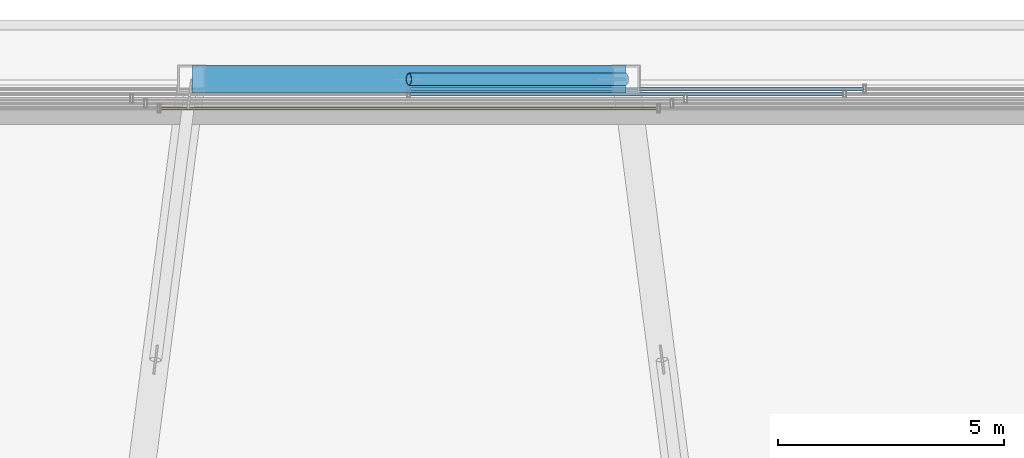
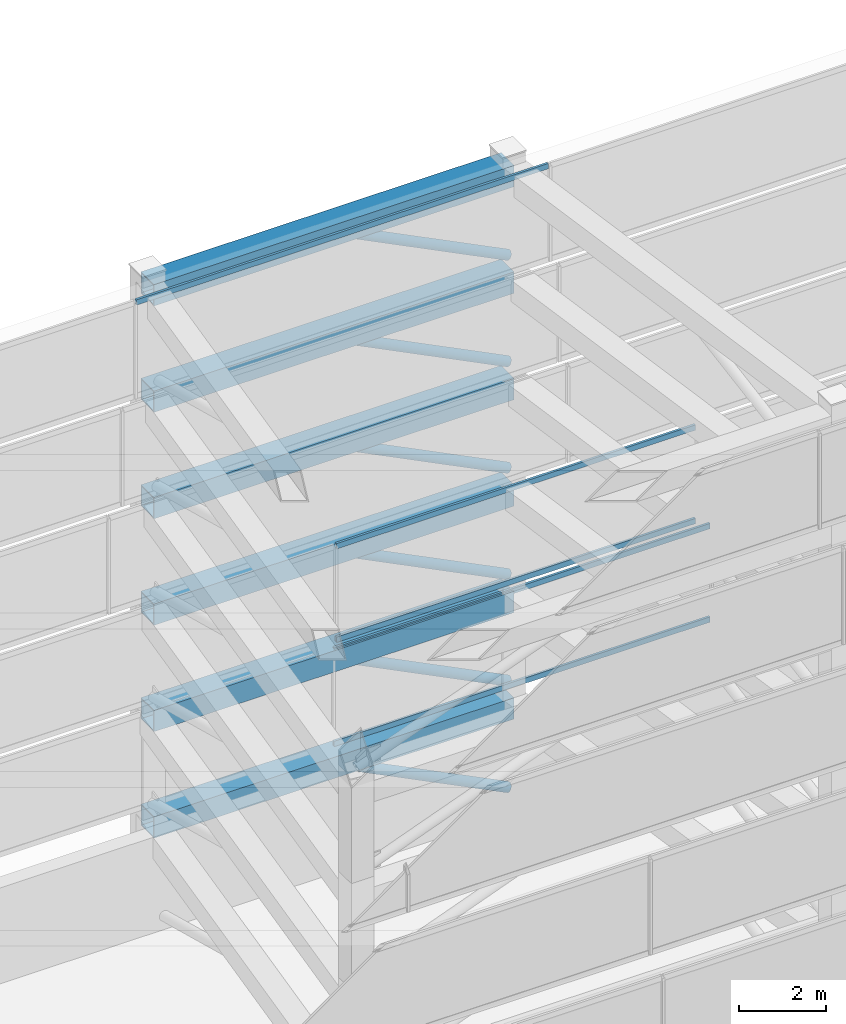
# One storey, part 17 of 29: 17 members, 3 elements without a shape of their own.
"""IFC4 building model written with IfcOpenShell, lengths in metres."""

from ifc_helpers import new_model, si_unit, direction, frame, origin, origin_2d, place, context, subcontext, project, spatial, hollow_rectangle, hollow_circle, extrude, material, material_profile, profile_set, type_object, element, aggregate, save


model = new_model("IFC4")

# Units and contexts
model_context = context("Model", 3, precision=1e-05, world=origin(), true_north=direction((0.0, 1.0)))
body_context = subcontext(model_context, "Body", "Model", "MODEL_VIEW")
ifc_project = project(units=[si_unit("LENGTHUNIT", "METRE"), si_unit("AREAUNIT", "SQUARE_METRE"), si_unit("VOLUMEUNIT", "CUBIC_METRE"), si_unit("PLANEANGLEUNIT", "RADIAN"), si_unit("MASSUNIT", "GRAM", prefix="KILO")], contexts=[model_context])

# Site, building, storey
site_placement = place(None, origin())
site = spatial("IfcSite", under=ifc_project, at=site_placement, CompositionType="ELEMENT")
building_placement = place(site_placement, origin())
building = spatial("IfcBuilding", under=site, at=building_placement, Name="Saevonmaru Cultural Tower", CompositionType="ELEMENT")
storey_placement = place(building_placement, frame((0.0, 0.0, 327.60009765625)))
storey = spatial("IfcBuildingStorey", under=building, at=storey_placement, Name="RF", CompositionType="ELEMENT", Elevation=327.60009765625)

# Members
ifc_material_1 = material(Name="Steel SM355", Category="steel")
ifc_material_profile_1 = material_profile(ifc_material_1, hollow_circle(Radius=0.1337890625, WallThickness=0.011962890625, at=origin_2d()), Name="CHS-267.4x12")
ifc_profile_set_1 = profile_set([ifc_material_profile_1], Name="Steel SM355")
member_type_1 = type_object("IfcMemberType", Name="CROWN-FRAME-BRACE", PredefinedType="BRACE", material=ifc_profile_set_1)
for number, where, z_axis, x_axis, name in (
    (1, (34.800048828125, 54.800048828125, 0.0), (-0.894436289399, 0.0, 0.44719539824), (0.0, -1.0, 0.0), "RF Stepped Ziggurat CROWN FRAME Brace T1-3"),
    (2, (34.800048828125, 54.800048828125, 3.0), (-0.894436289399, 0.0, 0.44719539824), (0.0, -1.0, 0.0), "RF Stepped Ziggurat CROWN FRAME Brace T2-3"),
    (3, (34.800048828125, 54.800048828125, 6.0), (-0.894436289399, 0.0, 0.44719539824), (0.0, -1.0, 0.0), "RF Stepped Ziggurat CROWN FRAME Brace T3-3"),
    (4, (34.800048828125, 54.800048828125, 9.0), (-0.894436289399, 0.0, 0.44719539824), (0.0, -1.0, 0.0), "RF Stepped Ziggurat CROWN FRAME Brace T4-3"),
    (5, (34.800048828125, 54.800048828125, 12.0), (-0.894436289399, 0.0, 0.44719539824), (0.0, -1.0, 0.0), "RF Stepped Ziggurat CROWN FRAME Brace T5-3"),
    (6, (34.800048828125, 54.800048828125, 15.0), (-0.894436289399, 0.0, 0.44719539824), (0.0, -1.0, 0.0), "RF Stepped Ziggurat CROWN FRAME Brace T6-3"),
):
    element("IfcMember", number, at=place(storey_placement, frame(where, z_axis=z_axis, x_axis=x_axis)), inside=storey, type_object=member_type_1, Name=name, PredefinedType="BRACE", context=body_context, shape_type="SweptSolid", body=[
        extrude(hollow_circle(Radius=0.1337890625, WallThickness=0.011962890625, at=origin_2d()), origin(), (0.0, 0.0, 1.0), 5.366455078125),
    ])
ifc_material_2 = material(Name="Steel SM420", Category="steel")
ifc_material_profile_2 = material_profile(ifc_material_2, hollow_rectangle(XDim=0.60009765625, YDim=0.60009765625, WallThickness=0.028076171875, at=origin_2d()), Name="BOX-600x600x28")
ifc_profile_set_2 = profile_set([ifc_material_profile_2], Name="Steel SM420")
member_type_2 = type_object("IfcMemberType", Name="CROWN-FRAME-CHORD", PredefinedType="CHORD", material=ifc_profile_set_2)
for number, where, z_axis, x_axis, name in (
    (7, (34.800048828125, 54.800048828125, 2.39990234375), (-1.0, 0.0, 0.0), (0.0, -1.0, 0.0), "RF Stepped Ziggurat CROWN FRAME Ring Beam T1-3"),
    (8, (34.800048828125, 54.800048828125, 5.39990234375), (-1.0, 0.0, 0.0), (0.0, -1.0, 0.0), "RF Stepped Ziggurat CROWN FRAME Ring Beam T2-3"),
    (9, (34.800048828125, 54.800048828125, 8.39990234375), (-1.0, 0.0, 0.0), (0.0, -1.0, 0.0), "RF Stepped Ziggurat CROWN FRAME Ring Beam T3-3"),
    (10, (34.800048828125, 54.800048828125, 11.39990234375), (-1.0, 0.0, 0.0), (0.0, -1.0, 0.0), "RF Stepped Ziggurat CROWN FRAME Ring Beam T4-3"),
    (11, (34.800048828125, 54.800048828125, 14.39990234375), (-1.0, 0.0, 0.0), (0.0, -1.0, 0.0), "RF Stepped Ziggurat CROWN FRAME Ring Beam T5-3"),
    (12, (34.800048828125, 54.800048828125, 17.39990234375), (-1.0, 0.0, 0.0), (0.0, -1.0, 0.0), "RF Stepped Ziggurat CROWN FRAME Ring Beam T6-3"),
):
    element("IfcMember", number, at=place(storey_placement, frame(where, z_axis=z_axis, x_axis=x_axis)), inside=storey, type_object=member_type_2, Name=name, PredefinedType="CHORD", context=body_context, shape_type="SweptSolid", body=[
        extrude(hollow_rectangle(XDim=0.60009765625, YDim=0.60009765625, WallThickness=0.028076171875, at=origin_2d()), origin(), (0.0, 0.0, 1.0), 9.60009765625),
    ])

# Curtain wall, members
ifc_material_3 = material(Name="Satin Bronze Anodised Aluminium", Category="aluminium")
curtain_wall_type = type_object("IfcCurtainWallType", Name="CW-TYP-B", PredefinedType="NOTDEFINED", material=ifc_material_3)
curtain_wall_1_placement = place(storey_placement, origin())
curtain_wall_1 = element("IfcCurtainWall", 13, at=curtain_wall_1_placement, inside=storey, type_object=curtain_wall_type, Name="RF Ziggurat Crown Tier 2 Bronze Louvre Screen 3", PredefinedType="NOTDEFINED")
ifc_material_profile_3 = material_profile(ifc_material_3, hollow_rectangle(XDim=0.06494140625, YDim=0.14990234375, WallThickness=0.00390625, at=origin_2d()), Name="ALU-TRAN-150x65x4")
ifc_profile_set_3 = profile_set([ifc_material_profile_3], Name="Satin Bronze Anodised Aluminium")
member_type_3 = type_object("IfcMemberType", Name="TR-CW-150x65", PredefinedType="USERDEFINED", material=ifc_profile_set_3)
member_1_placement = place(storey_placement, frame((40.051025390625, 54.583984375, 3.032470703125), z_axis=(-1.0, 0.0, 0.0), x_axis=(0.0, -1.0, 0.0)))
member_1 = element("IfcMember", 14, at=member_1_placement, type_object=member_type_3, Name="CW-CROWN-T2-3 transom 2.1", ObjectType="TRANSOM", PredefinedType="USERDEFINED", context=body_context, shape_type="SweptSolid", body=[
    extrude(hollow_rectangle(XDim=0.06494140625, YDim=0.14990234375, WallThickness=0.00390625, at=origin_2d()), origin(), (0.0, 0.0, 1.0), 10.0185546875),
])
member_2_placement = place(storey_placement, frame((40.051025390625, 54.583984375, 5.66748046875), z_axis=(-1.0, 0.0, 0.0), x_axis=(0.0, -1.0, 0.0)))
member_2 = element("IfcMember", 15, at=member_2_placement, type_object=member_type_3, Name="CW-CROWN-T2-3 transom 2.2", ObjectType="TRANSOM", PredefinedType="USERDEFINED", context=body_context, shape_type="SweptSolid", body=[
    extrude(hollow_rectangle(XDim=0.06494140625, YDim=0.14990234375, WallThickness=0.00390625, at=origin_2d()), origin(), (0.0, 0.0, 1.0), 10.0185546875),
])
aggregate(curtain_wall_1, [member_1, member_2])

curtain_wall_2_placement = place(storey_placement, origin())
curtain_wall_2 = element("IfcCurtainWall", 16, at=curtain_wall_2_placement, inside=storey, type_object=curtain_wall_type, Name="RF Ziggurat Crown Tier 3 Bronze Louvre Screen 3", PredefinedType="NOTDEFINED")
member_3_placement = place(storey_placement, frame((39.60107421875, 54.47607421875, 6.032470703125), z_axis=(-1.0, 0.0, 0.0), x_axis=(0.0, -1.0, 0.0)))
member_3 = element("IfcMember", 17, at=member_3_placement, type_object=member_type_3, Name="CW-CROWN-T3-3 transom 2.1", ObjectType="TRANSOM", PredefinedType="USERDEFINED", context=body_context, shape_type="SweptSolid", body=[
    extrude(hollow_rectangle(XDim=0.06494140625, YDim=0.14990234375, WallThickness=0.00390625, at=origin_2d()), origin(), (0.0, 0.0, 1.0), 9.568603515625),
])
member_4_placement = place(storey_placement, frame((39.60107421875, 54.47607421875, 8.66748046875), z_axis=(-1.0, 0.0, 0.0), x_axis=(0.0, -1.0, 0.0)))
member_4 = element("IfcMember", 18, at=member_4_placement, type_object=member_type_3, Name="CW-CROWN-T3-3 transom 2.2", ObjectType="TRANSOM", PredefinedType="USERDEFINED", context=body_context, shape_type="SweptSolid", body=[
    extrude(hollow_rectangle(XDim=0.06494140625, YDim=0.14990234375, WallThickness=0.00390625, at=origin_2d()), origin(), (0.0, 0.0, 1.0), 9.568603515625),
])
aggregate(curtain_wall_2, [member_3, member_4])

# Curtain wall, member
curtain_wall_3_placement = place(storey_placement, origin())
curtain_wall_3 = element("IfcCurtainWall", 19, at=curtain_wall_3_placement, inside=storey, type_object=curtain_wall_type, Name="RF Ziggurat Crown Tier 6 Bronze Louvre Screen 3", PredefinedType="NOTDEFINED")
member_5_placement = place(storey_placement, frame((35.48974609375, 54.152099609375, 17.66748046875), z_axis=(-1.0, 0.0, 0.0), x_axis=(0.0, -1.0, 0.0)))
member_5 = element("IfcMember", 20, at=member_5_placement, type_object=member_type_3, Name="CW-CROWN-T6-3 transom 2.2", ObjectType="TRANSOM", PredefinedType="USERDEFINED", context=body_context, shape_type="SweptSolid", body=[
    extrude(hollow_rectangle(XDim=0.06494140625, YDim=0.14990234375, WallThickness=0.00390625, at=origin_2d()), origin(), (0.0, 0.0, 1.0), 10.9794921875),
])
aggregate(curtain_wall_3, [member_5])

save(model, "model.ifc")
